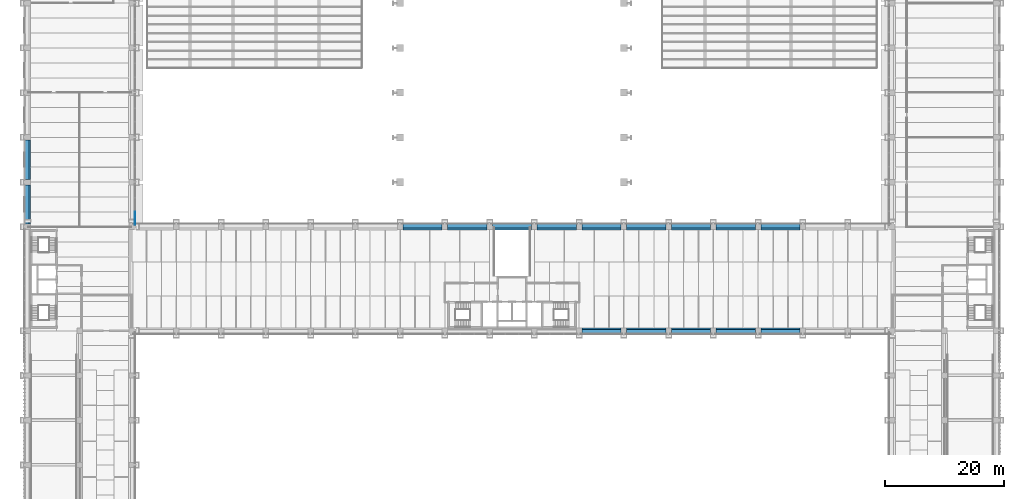
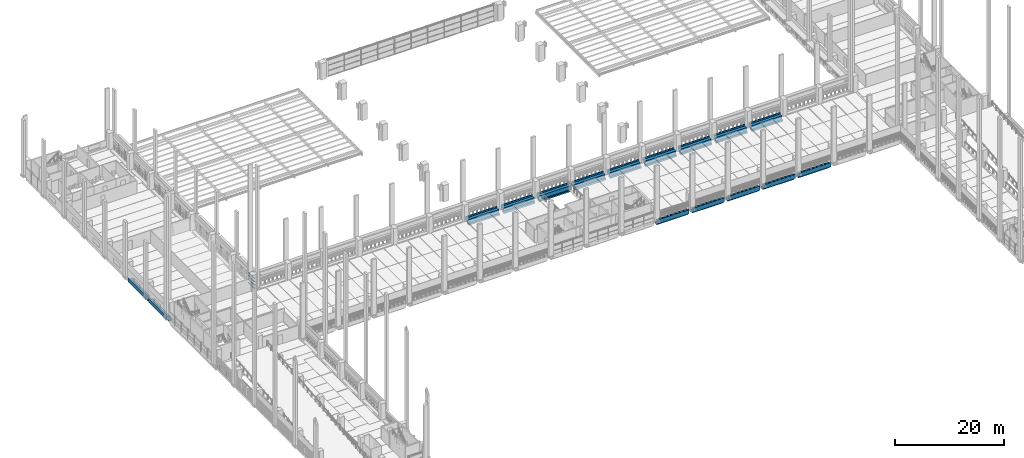
# One storey, part 8 of 67: 16 beams, 4 members, 1 element without a shape of its own.
"""IFC4 building model written with IfcOpenShell, lengths in metres."""

from ifc_helpers import new_model, si_unit, direction, frame, origin, origin_2d, place, context, subcontext, project, spatial, polyline, rectangle, outline, extrude, material, layer, layer_set, material_profile, profile_set, type_object, element, aggregate, save


model = new_model("IFC4")

# Units and contexts
model_context = context("Model", 3, precision=1e-05, world=origin(), true_north=direction((0.0, 1.0)))
body_context = subcontext(model_context, "Body", "Model", "MODEL_VIEW")
ifc_project = project(units=[si_unit("LENGTHUNIT", "METRE"), si_unit("AREAUNIT", "SQUARE_METRE"), si_unit("VOLUMEUNIT", "CUBIC_METRE"), si_unit("PLANEANGLEUNIT", "RADIAN"), si_unit("MASSUNIT", "GRAM", prefix="KILO")], contexts=[model_context])

# Site, building, storey
site_placement = place(None, origin())
site = spatial("IfcSite", under=ifc_project, at=site_placement, CompositionType="ELEMENT")
building_placement = place(site_placement, origin())
building = spatial("IfcBuilding", under=site, at=building_placement, Name="Cour d'Honneur Mobility Palace", CompositionType="ELEMENT")
storey_placement = place(building_placement, frame((0.0, 0.0, 4.5)))
storey = spatial("IfcBuildingStorey", under=building, at=storey_placement, Name="L01", CompositionType="ELEMENT", Elevation=4.5)

# Curtain wall, members
ifc_material_1 = material(Name="Aluminium and glass", Category="aluminium")
ifc_layer = layer(ifc_material_1, 0.10009765625)
ifc_layer_set = layer_set([ifc_layer], Name="Aluminium and glass")
curtain_wall_type = type_object("IfcCurtainWallType", Name="Curtain wall run", PredefinedType="NOTDEFINED", material=ifc_layer_set)
curtain_wall_placement = place(storey_placement, origin())
curtain_wall = element("IfcCurtainWall", 1, at=curtain_wall_placement, inside=storey, type_object=curtain_wall_type, Name="Curtain wall CW-16", PredefinedType="NOTDEFINED")
ifc_material_2 = material(Name="Aluminium", Category="aluminium")
ifc_material_profile_1 = material_profile(ifc_material_2, rectangle(XDim=0.06005859375, YDim=0.1201171875, at=origin_2d()), Name="Curtain wall transom")
ifc_profile_set_1 = profile_set([ifc_material_profile_1], Name="Aluminium")
member_type = type_object("IfcMemberType", Name="Curtain wall transom", PredefinedType="USERDEFINED", material=ifc_profile_set_1)
member_1_placement = place(storey_placement, frame((17.949951171875, 62.760009765625, 0.030029296875), z_axis=(0.0, 1.0, 0.0), x_axis=(-1.0, 0.0, 0.0)))
member_1 = element("IfcMember", 2, at=member_1_placement, type_object=member_type, Name="CW-16 transom 1.1", ObjectType="TRANSOM", PredefinedType="USERDEFINED", context=body_context, shape_type="SweptSolid", body=[
    extrude(rectangle(XDim=0.06005859375, YDim=0.1201171875, at=origin_2d()), origin(), (0.0, 0.0, 1.0), 2.2099609375),
])
member_2_placement = place(storey_placement, frame((17.949951171875, 62.760009765625, 0.7666015625), z_axis=(0.0, 1.0, 0.0), x_axis=(-1.0, 0.0, 0.0)))
member_2 = element("IfcMember", 3, at=member_2_placement, type_object=member_type, Name="CW-16 transom 1.2", ObjectType="TRANSOM", PredefinedType="USERDEFINED", context=body_context, shape_type="SweptSolid", body=[
    extrude(rectangle(XDim=0.06005859375, YDim=0.1201171875, at=origin_2d()), origin(), (0.0, 0.0, 1.0), 2.2099609375),
])
member_3_placement = place(storey_placement, frame((17.949951171875, 62.760009765625, 1.533447265625), z_axis=(0.0, 1.0, 0.0), x_axis=(-1.0, 0.0, 0.0)))
member_3 = element("IfcMember", 4, at=member_3_placement, type_object=member_type, Name="CW-16 transom 1.3", ObjectType="TRANSOM", PredefinedType="USERDEFINED", context=body_context, shape_type="SweptSolid", body=[
    extrude(rectangle(XDim=0.06005859375, YDim=0.1201171875, at=origin_2d()), origin(), (0.0, 0.0, 1.0), 2.2099609375),
])
member_4_placement = place(storey_placement, frame((17.949951171875, 62.760009765625, 2.27001953125), z_axis=(0.0, 1.0, 0.0), x_axis=(-1.0, 0.0, 0.0)))
member_4 = element("IfcMember", 5, at=member_4_placement, type_object=member_type, Name="CW-16 transom 1.4", ObjectType="TRANSOM", PredefinedType="USERDEFINED", context=body_context, shape_type="SweptSolid", body=[
    extrude(rectangle(XDim=0.06005859375, YDim=0.1201171875, at=origin_2d()), origin(), (0.0, 0.0, 1.0), 2.2099609375),
])
aggregate(curtain_wall, [member_1, member_2, member_3, member_4])

# Beams
ifc_material_3 = material(Name="Concrete C45", Category="concrete")
ifc_material_profile_2 = material_profile(ifc_material_3, outline(polyline([(0.5, -1.10009765625), (0.5, -0.75), (0.199951171875, -0.75), (0.199951171875, 0.0), (-0.199951171875, 0.0), (-0.449951171875, 0.0), (-0.449951171875, 0.300048828125), (-0.64990234375, 0.300048828125), (-0.64990234375, -0.60009765625), (-0.199951171875, -0.60009765625), (-0.199951171875, -1.10009765625), (0.5, -1.10009765625)])), Name="Ledger Beam 400x1100 ledge left 350 facade right")
ifc_profile_set_2 = profile_set([ifc_material_profile_2], Name="Concrete C45")
beam_type_1 = type_object("IfcBeamType", Name="Ledger Beam 400x1100 ledge left 350 facade right", PredefinedType="BEAM", material=ifc_profile_set_2)
for number, where, z_axis, x_axis, name in (
    (6, (92.85009765625, 45.0, 0.0), (1.0, 0.0, 0.0), (0.0, 1.0, 0.0), "Precast beam B2 12-13 L01"),
    (7, (100.35009765625, 45.0, 0.0), (1.0, 0.0, 0.0), (0.0, 1.0, 0.0), "Precast beam B2 13-14 L01"),
    (8, (107.85009765625, 45.0, 0.0), (1.0, 0.0, 0.0), (0.0, 1.0, 0.0), "Precast beam B2 14-15 L01"),
    (9, (115.35009765625, 45.0, 0.0), (1.0, 0.0, 0.0), (0.0, 1.0, 0.0), "Precast beam B2 15-16 L01"),
    (10, (122.85009765625, 45.0, 0.0), (1.0, 0.0, 0.0), (0.0, 1.0, 0.0), "Precast beam B2 16-17 L01"),
):
    element("IfcBeam", number, at=place(storey_placement, frame(where, z_axis=z_axis, x_axis=x_axis)), inside=storey, type_object=beam_type_1, Name=name, PredefinedType="BEAM", context=body_context, shape_type="SweptSolid", body=[
        extrude(outline(polyline([(0.5, -1.10009765625), (0.5, -0.75), (0.199951171875, -0.75), (0.199951171875, 0.0), (-0.199951171875, 0.0), (-0.449951171875, 0.0), (-0.449951171875, 0.300048828125), (-0.64990234375, 0.300048828125), (-0.64990234375, -0.60009765625), (-0.199951171875, -0.60009765625), (-0.199951171875, -1.10009765625), (0.5, -1.10009765625)])), origin(), (0.0, 0.0, 1.0), 6.599853515625),
    ])
ifc_material_4 = material(Name="Concrete C45", Category="concrete")
ifc_material_profile_3 = material_profile(ifc_material_4, outline(polyline([(0.199951171875, -1.10009765625), (0.199951171875, -0.60009765625), (0.64990234375, -0.60009765625), (0.64990234375, 0.300048828125), (0.449951171875, 0.300048828125), (0.449951171875, 0.0), (0.199951171875, 0.0), (-0.199951171875, 0.0), (-0.199951171875, -0.800048828125), (-0.5, -0.800048828125), (-0.5, -1.10009765625), (0.199951171875, -1.10009765625)])), Name="Ledger Beam 400x1100 ledge right 300 facade left")
ifc_profile_set_3 = profile_set([ifc_material_profile_3], Name="Concrete C45")
beam_type_2 = type_object("IfcBeamType", Name="Ledger Beam 400x1100 ledge right 300 facade left", PredefinedType="BEAM", material=ifc_profile_set_3)
beam_placement = place(storey_placement, frame((77.85009765625, 62.39990234375, 0.0), z_axis=(1.0, 0.0, 0.0), x_axis=(0.0, 1.0, 0.0)))
element("IfcBeam", 11, at=beam_placement, inside=storey, type_object=beam_type_2, Name="Precast beam B6 10-11 L01", PredefinedType="BEAM", context=body_context, shape_type="SweptSolid", body=[
    extrude(outline(polyline([(0.199951171875, -1.10009765625), (0.199951171875, -0.60009765625), (0.64990234375, -0.60009765625), (0.64990234375, 0.300048828125), (0.449951171875, 0.300048828125), (0.449951171875, 0.0), (0.199951171875, 0.0), (-0.199951171875, 0.0), (-0.199951171875, -0.800048828125), (-0.5, -0.800048828125), (-0.5, -1.10009765625), (0.199951171875, -1.10009765625)])), origin(), (0.0, 0.0, 1.0), 6.599853515625),
])
ifc_material_5 = material(Name="Concrete C45", Category="concrete")
ifc_material_profile_4 = material_profile(ifc_material_5, outline(polyline([(0.199951171875, -1.10009765625), (0.199951171875, -0.60009765625), (0.64990234375, -0.60009765625), (0.64990234375, 0.300048828125), (0.449951171875, 0.300048828125), (0.449951171875, 0.0), (0.199951171875, 0.0), (-0.199951171875, 0.0), (-0.199951171875, -0.75), (-0.5, -0.75), (-0.5, -1.10009765625), (0.199951171875, -1.10009765625)])), Name="Ledger Beam 400x1100 ledge right 350 facade left")
ifc_profile_set_4 = profile_set([ifc_material_profile_4], Name="Concrete C45")
beam_type_3 = type_object("IfcBeamType", Name="Ledger Beam 400x1100 ledge right 350 facade left", PredefinedType="BEAM", material=ifc_profile_set_4)
for number, where, z_axis, x_axis, name in (
    (12, (62.85009765625, 62.39990234375, 0.0), (1.0, 0.0, 0.0), (0.0, 1.0, 0.0), "Precast beam B4 8-9 L01"),
    (13, (92.85009765625, 62.39990234375, 0.0), (1.0, 0.0, 0.0), (0.0, 1.0, 0.0), "Precast beam B4 12-13 L01"),
    (14, (100.35009765625, 62.39990234375, 0.0), (1.0, 0.0, 0.0), (0.0, 1.0, 0.0), "Precast beam B4 13-14 L01"),
    (15, (107.85009765625, 62.39990234375, 0.0), (1.0, 0.0, 0.0), (0.0, 1.0, 0.0), "Precast beam B4 14-15 L01"),
    (16, (115.35009765625, 62.39990234375, 0.0), (1.0, 0.0, 0.0), (0.0, 1.0, 0.0), "Precast beam B4 15-16 L01"),
    (17, (122.85009765625, 62.39990234375, 0.0), (1.0, 0.0, 0.0), (0.0, 1.0, 0.0), "Precast beam B4 16-17 L01"),
    (18, (0.0, 62.85009765625, 0.0), (0.0, 1.0, 0.0), (-1.0, 0.0, 0.0), "Precast beam B4 H-J L01"),
    (19, (0.0, 70.35009765625, 0.0), (0.0, 1.0, 0.0), (-1.0, 0.0, 0.0), "Precast beam B4 J-K L01"),
):
    element("IfcBeam", number, at=place(storey_placement, frame(where, z_axis=z_axis, x_axis=x_axis)), inside=storey, type_object=beam_type_3, Name=name, PredefinedType="BEAM", context=body_context, shape_type="SweptSolid", body=[
        extrude(outline(polyline([(0.199951171875, -1.10009765625), (0.199951171875, -0.60009765625), (0.64990234375, -0.60009765625), (0.64990234375, 0.300048828125), (0.449951171875, 0.300048828125), (0.449951171875, 0.0), (0.199951171875, 0.0), (-0.199951171875, 0.0), (-0.199951171875, -0.75), (-0.5, -0.75), (-0.5, -1.10009765625), (0.199951171875, -1.10009765625)])), origin(), (0.0, 0.0, 1.0), 6.599853515625),
    ])
ifc_material_6 = material(Name="Concrete C45", Category="concrete")
ifc_material_profile_5 = material_profile(ifc_material_6, outline(polyline([(0.199951171875, -1.10009765625), (0.199951171875, -0.60009765625), (0.64990234375, -0.60009765625), (0.64990234375, 0.300048828125), (0.449951171875, 0.300048828125), (0.449951171875, 0.0), (0.199951171875, 0.0), (-0.199951171875, 0.0), (-0.199951171875, -0.64990234375), (-0.5, -0.64990234375), (-0.5, -1.10009765625), (0.199951171875, -1.10009765625)])), Name="Ledger Beam 400x1100 ledge right 450 facade left")
ifc_profile_set_5 = profile_set([ifc_material_profile_5], Name="Concrete C45")
beam_type_4 = type_object("IfcBeamType", Name="Ledger Beam 400x1100 ledge right 450 facade left", PredefinedType="BEAM", material=ifc_profile_set_5)
for number, where, z_axis, x_axis, name in (
    (20, (70.35009765625, 62.39990234375, 0.0), (1.0, 0.0, 0.0), (0.0, 1.0, 0.0), "Precast beam B5 9-10 L01"),
    (21, (85.35009765625, 62.39990234375, 0.0), (1.0, 0.0, 0.0), (0.0, 1.0, 0.0), "Precast beam B5 11-12 L01"),
):
    element("IfcBeam", number, at=place(storey_placement, frame(where, z_axis=z_axis, x_axis=x_axis)), inside=storey, type_object=beam_type_4, Name=name, PredefinedType="BEAM", context=body_context, shape_type="SweptSolid", body=[
        extrude(outline(polyline([(0.199951171875, -1.10009765625), (0.199951171875, -0.60009765625), (0.64990234375, -0.60009765625), (0.64990234375, 0.300048828125), (0.449951171875, 0.300048828125), (0.449951171875, 0.0), (0.199951171875, 0.0), (-0.199951171875, 0.0), (-0.199951171875, -0.64990234375), (-0.5, -0.64990234375), (-0.5, -1.10009765625), (0.199951171875, -1.10009765625)])), origin(), (0.0, 0.0, 1.0), 6.599853515625),
    ])

save(model, "model.ifc")
